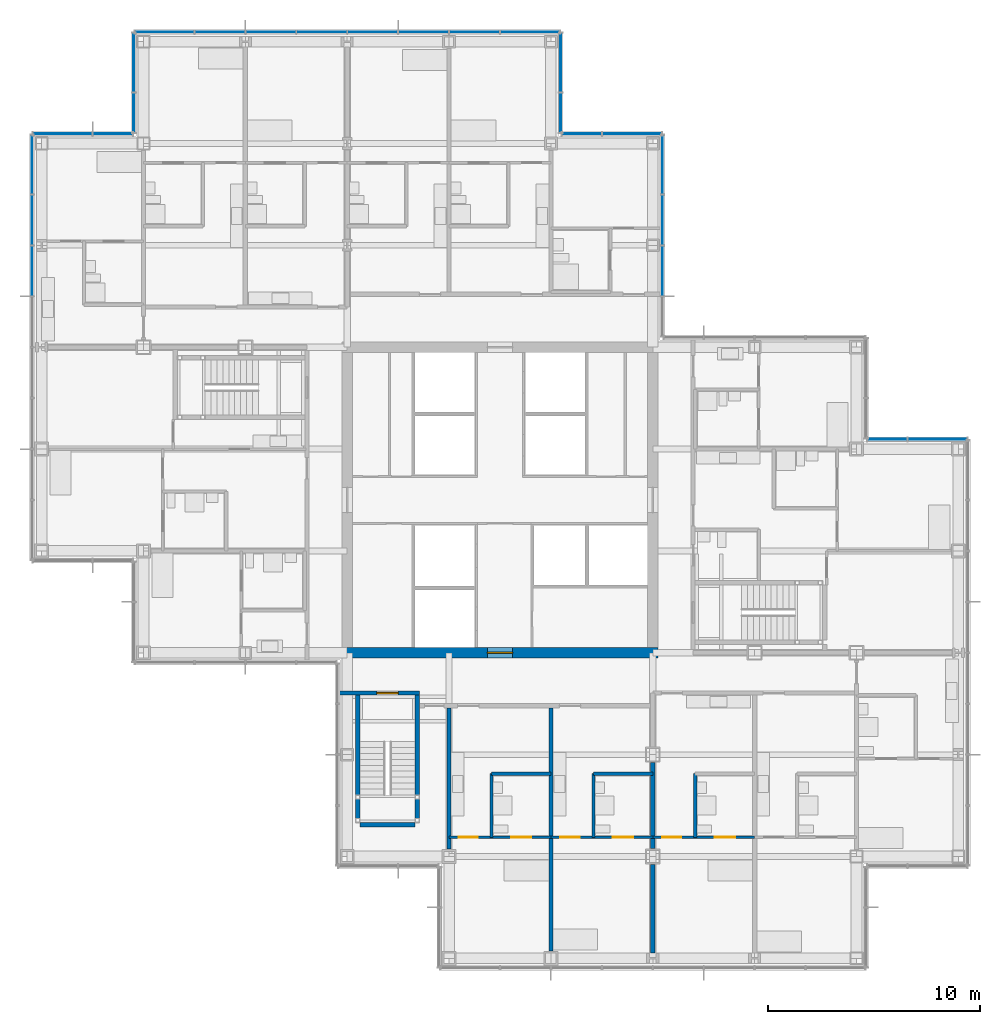
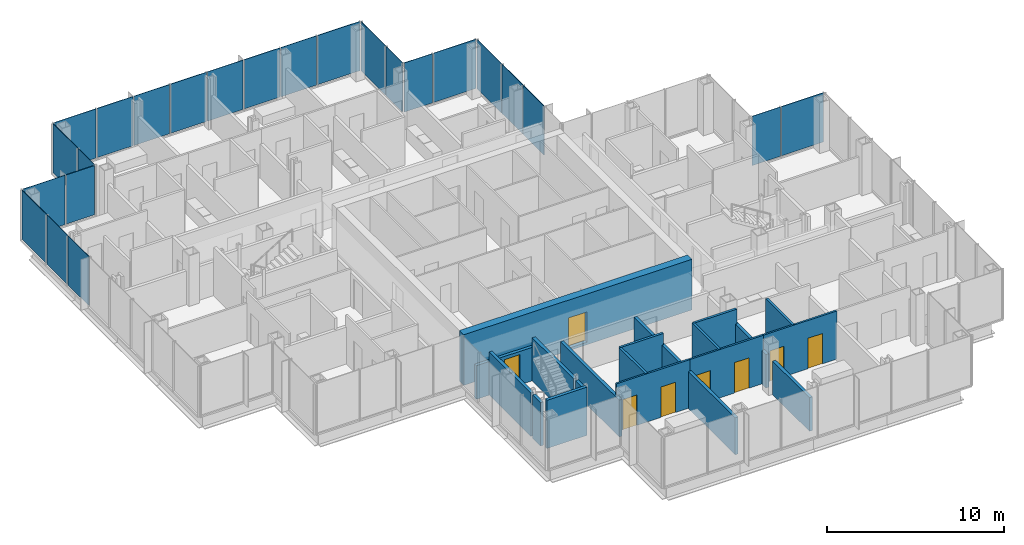
# One storey, part 12 of 19: 24 plates, 19 walls, 8 doors, 8 openings, 8 elements without a shape of their own.
"""IFC4 building model written with IfcOpenShell, lengths in metres."""

from ifc_helpers import new_model, si_unit, direction, frame, frame_2d, origin, origin_2d, place, context, subcontext, project, spatial, rectangle, extrude, material, layer, layer_set, type_object, element, fill, aggregate, save


model = new_model("IFC4")

# Units and contexts
model_context = context("Model", 3, precision=1e-05, world=origin(), true_north=direction((0.0, 1.0)))
body_context = subcontext(model_context, "Body", "Model", "MODEL_VIEW")
ifc_project = project(units=[si_unit("LENGTHUNIT", "METRE"), si_unit("AREAUNIT", "SQUARE_METRE"), si_unit("VOLUMEUNIT", "CUBIC_METRE"), si_unit("PLANEANGLEUNIT", "RADIAN"), si_unit("MASSUNIT", "GRAM", prefix="KILO")], contexts=[model_context])

# Site, building, storey
site_placement = place(None, origin())
site = spatial("IfcSite", under=ifc_project, at=site_placement, CompositionType="ELEMENT")
building_placement = place(site_placement, origin())
building = spatial("IfcBuilding", under=site, at=building_placement, Name="Kvirike Care Tower", CompositionType="ELEMENT")
storey_placement = place(building_placement, frame((0.0, 0.0, 87.5)))
storey = spatial("IfcBuildingStorey", under=building, at=storey_placement, Name="L23", CompositionType="ELEMENT", Elevation=87.5)

# Curtain wall, plates
ifc_material_1 = material(Name="Anodised aluminium stick system", Category="aluminium")
curtain_wall_type = type_object("IfcCurtainWallType", Name="CW-B STICK CURTAIN WALL", PredefinedType="NOTDEFINED", material=ifc_material_1)
curtain_wall_1_placement = place(storey_placement, origin())
curtain_wall_1 = element("IfcCurtainWall", 1, at=curtain_wall_1_placement, inside=storey, type_object=curtain_wall_type, Name="Curtain wall L23 face 2", PredefinedType="NOTDEFINED")
ifc_material_2 = material(Name="Tinted double glazed unit", Category="glass")
ifc_layer_1 = layer(ifc_material_2, 0.035888671875)
ifc_layer_set_1 = layer_set([ifc_layer_1], Name="TINTED VISION PANEL 36")
plate_type = type_object("IfcPlateType", Name="TINTED VISION PANEL 36", PredefinedType="CURTAIN_PANEL", material=ifc_layer_set_1)
plate_1_placement = place(storey_placement, frame((42.2138671875, 38.860107421875, 0.10009765625), z_axis=(0.0, 0.0, 1.0), x_axis=(-1.0, 0.0, 0.0)))
plate_1 = element("IfcPlate", 2, at=plate_1_placement, type_object=plate_type, Name="CW-B panel L23 face 2.1", PredefinedType="CURTAIN_PANEL", context=body_context, shape_type="SweptSolid", body=[
    extrude(rectangle(XDim=2.762451171875, YDim=0.035888671875, at=origin_2d()), origin(), (0.0, 0.0, 1.0), 3.39990234375),
])
plate_2_placement = place(storey_placement, frame((39.84619140625, 38.860107421875, 0.10009765625), z_axis=(0.0, 0.0, 1.0), x_axis=(-1.0, 0.0, 0.0)))
plate_2 = element("IfcPlate", 3, at=plate_2_placement, type_object=plate_type, Name="CW-B panel L23 face 2.2", PredefinedType="CURTAIN_PANEL", context=body_context, shape_type="SweptSolid", body=[
    extrude(rectangle(XDim=1.842529296875, YDim=0.035888671875, at=origin_2d()), origin(), (0.0, 0.0, 1.0), 3.39990234375),
])
aggregate(curtain_wall_1, [plate_1, plate_2])

curtain_wall_2_placement = place(storey_placement, origin())
curtain_wall_2 = element("IfcCurtainWall", 4, at=curtain_wall_2_placement, inside=storey, type_object=curtain_wall_type, Name="Curtain wall L23 face 5", PredefinedType="NOTDEFINED")
plate_3_placement = place(storey_placement, frame((29.260009765625, 46.800048828125, 0.10009765625), z_axis=(0.0, 0.0, 1.0), x_axis=(0.0, 1.0, 0.0)))
plate_3 = element("IfcPlate", 5, at=plate_3_placement, type_object=plate_type, Name="CW-B panel L23 face 5.2", PredefinedType="CURTAIN_PANEL", context=body_context, shape_type="SweptSolid", body=[
    extrude(rectangle(XDim=2.3349609375, YDim=0.035888671875, at=origin_2d()), origin(), (0.0, 0.0, 1.0), 3.39990234375),
])
plate_4_placement = place(storey_placement, frame((29.260009765625, 49.199951171875, 0.10009765625), z_axis=(0.0, 0.0, 1.0), x_axis=(0.0, 1.0, 0.0)))
plate_4 = element("IfcPlate", 6, at=plate_4_placement, type_object=plate_type, Name="CW-B panel L23 face 5.3", PredefinedType="CURTAIN_PANEL", context=body_context, shape_type="SweptSolid", body=[
    extrude(rectangle(XDim=2.3349609375, YDim=0.035888671875, at=origin_2d()), origin(), (0.0, 0.0, 1.0), 3.39990234375),
])
plate_5_placement = place(storey_placement, frame((29.260009765625, 51.813720703125, 0.10009765625), z_axis=(0.0, 0.0, 1.0), x_axis=(0.0, 1.0, 0.0)))
plate_5 = element("IfcPlate", 7, at=plate_5_placement, type_object=plate_type, Name="CW-B panel L23 face 5.4", PredefinedType="CURTAIN_PANEL", context=body_context, shape_type="SweptSolid", body=[
    extrude(rectangle(XDim=2.762451171875, YDim=0.035888671875, at=origin_2d()), origin(), (0.0, 0.0, 1.0), 3.39990234375),
])
aggregate(curtain_wall_2, [plate_3, plate_4, plate_5])

curtain_wall_3_placement = place(storey_placement, origin())
curtain_wall_3 = element("IfcCurtainWall", 8, at=curtain_wall_3_placement, inside=storey, type_object=curtain_wall_type, Name="Curtain wall L23 face 6", PredefinedType="NOTDEFINED")
plate_6_placement = place(storey_placement, frame((27.813720703125, 53.260009765625, 0.10009765625), z_axis=(0.0, 0.0, 1.0), x_axis=(-1.0, 0.0, 0.0)))
plate_6 = element("IfcPlate", 9, at=plate_6_placement, type_object=plate_type, Name="CW-B panel L23 face 6.1", PredefinedType="CURTAIN_PANEL", context=body_context, shape_type="SweptSolid", body=[
    extrude(rectangle(XDim=2.762451171875, YDim=0.035888671875, at=origin_2d()), origin(), (0.0, 0.0, 1.0), 3.39990234375),
])
plate_7_placement = place(storey_placement, frame((25.4462890625, 53.260009765625, 0.10009765625), z_axis=(0.0, 0.0, 1.0), x_axis=(-1.0, 0.0, 0.0)))
plate_7 = element("IfcPlate", 10, at=plate_7_placement, type_object=plate_type, Name="CW-B panel L23 face 6.2", PredefinedType="CURTAIN_PANEL", context=body_context, shape_type="SweptSolid", body=[
    extrude(rectangle(XDim=1.842529296875, YDim=0.035888671875, at=origin_2d()), origin(), (0.0, 0.0, 1.0), 3.39990234375),
])
aggregate(curtain_wall_3, [plate_6, plate_7])

curtain_wall_4_placement = place(storey_placement, origin())
curtain_wall_4 = element("IfcCurtainWall", 11, at=curtain_wall_4_placement, inside=storey, type_object=curtain_wall_type, Name="Curtain wall L23 face 7", PredefinedType="NOTDEFINED")
plate_8_placement = place(storey_placement, frame((24.4599609375, 54.246337890625, 0.10009765625), z_axis=(0.0, 0.0, 1.0), x_axis=(0.0, 1.0, 0.0)))
plate_8 = element("IfcPlate", 12, at=plate_8_placement, type_object=plate_type, Name="CW-B panel L23 face 7.1", PredefinedType="CURTAIN_PANEL", context=body_context, shape_type="SweptSolid", body=[
    extrude(rectangle(XDim=1.842529296875, YDim=0.035888671875, at=origin_2d()), origin(), (0.0, 0.0, 1.0), 3.39990234375),
])
plate_9_placement = place(storey_placement, frame((24.4599609375, 56.61376953125, 0.10009765625), z_axis=(0.0, 0.0, 1.0), x_axis=(0.0, 1.0, 0.0)))
plate_9 = element("IfcPlate", 13, at=plate_9_placement, type_object=plate_type, Name="CW-B panel L23 face 7.2", PredefinedType="CURTAIN_PANEL", context=body_context, shape_type="SweptSolid", body=[
    extrude(rectangle(XDim=2.762451171875, YDim=0.035888671875, at=origin_2d()), origin(), (0.0, 0.0, 1.0), 3.39990234375),
])
aggregate(curtain_wall_4, [plate_8, plate_9])

curtain_wall_5_placement = place(storey_placement, origin())
curtain_wall_5 = element("IfcCurtainWall", 14, at=curtain_wall_5_placement, inside=storey, type_object=curtain_wall_type, Name="Curtain wall L23 face 8", PredefinedType="NOTDEFINED")
plate_10_placement = place(storey_placement, frame((23.013671875, 58.06005859375, 0.10009765625), z_axis=(0.0, 0.0, 1.0), x_axis=(-1.0, 0.0, 0.0)))
plate_10 = element("IfcPlate", 15, at=plate_10_placement, type_object=plate_type, Name="CW-B panel L23 face 8.1", PredefinedType="CURTAIN_PANEL", context=body_context, shape_type="SweptSolid", body=[
    extrude(rectangle(XDim=2.762451171875, YDim=0.035888671875, at=origin_2d()), origin(), (0.0, 0.0, 1.0), 3.39990234375),
])
plate_11_placement = place(storey_placement, frame((20.39990234375, 58.06005859375, 0.10009765625), z_axis=(0.0, 0.0, 1.0), x_axis=(-1.0, 0.0, 0.0)))
plate_11 = element("IfcPlate", 16, at=plate_11_placement, type_object=plate_type, Name="CW-B panel L23 face 8.2", PredefinedType="CURTAIN_PANEL", context=body_context, shape_type="SweptSolid", body=[
    extrude(rectangle(XDim=2.3349609375, YDim=0.035888671875, at=origin_2d()), origin(), (0.0, 0.0, 1.0), 3.39990234375),
])
plate_12_placement = place(storey_placement, frame((18.0, 58.06005859375, 0.10009765625), z_axis=(0.0, 0.0, 1.0), x_axis=(-1.0, 0.0, 0.0)))
plate_12 = element("IfcPlate", 17, at=plate_12_placement, type_object=plate_type, Name="CW-B panel L23 face 8.3", PredefinedType="CURTAIN_PANEL", context=body_context, shape_type="SweptSolid", body=[
    extrude(rectangle(XDim=2.3349609375, YDim=0.035888671875, at=origin_2d()), origin(), (0.0, 0.0, 1.0), 3.39990234375),
])
plate_13_placement = place(storey_placement, frame((15.60009765625, 58.06005859375, 0.10009765625), z_axis=(0.0, 0.0, 1.0), x_axis=(-1.0, 0.0, 0.0)))
plate_13 = element("IfcPlate", 18, at=plate_13_placement, type_object=plate_type, Name="CW-B panel L23 face 8.4", PredefinedType="CURTAIN_PANEL", context=body_context, shape_type="SweptSolid", body=[
    extrude(rectangle(XDim=2.3349609375, YDim=0.035888671875, at=origin_2d()), origin(), (0.0, 0.0, 1.0), 3.39990234375),
])
plate_14_placement = place(storey_placement, frame((13.199951171875, 58.06005859375, 0.10009765625), z_axis=(0.0, 0.0, 1.0), x_axis=(-1.0, 0.0, 0.0)))
plate_14 = element("IfcPlate", 19, at=plate_14_placement, type_object=plate_type, Name="CW-B panel L23 face 8.5", PredefinedType="CURTAIN_PANEL", context=body_context, shape_type="SweptSolid", body=[
    extrude(rectangle(XDim=2.3349609375, YDim=0.035888671875, at=origin_2d()), origin(), (0.0, 0.0, 1.0), 3.39990234375),
])
plate_15_placement = place(storey_placement, frame((10.800048828125, 58.06005859375, 0.10009765625), z_axis=(0.0, 0.0, 1.0), x_axis=(-1.0, 0.0, 0.0)))
plate_15 = element("IfcPlate", 20, at=plate_15_placement, type_object=plate_type, Name="CW-B panel L23 face 8.6", PredefinedType="CURTAIN_PANEL", context=body_context, shape_type="SweptSolid", body=[
    extrude(rectangle(XDim=2.3349609375, YDim=0.035888671875, at=origin_2d()), origin(), (0.0, 0.0, 1.0), 3.39990234375),
])
plate_16_placement = place(storey_placement, frame((8.39990234375, 58.06005859375, 0.10009765625), z_axis=(0.0, 0.0, 1.0), x_axis=(-1.0, 0.0, 0.0)))
plate_16 = element("IfcPlate", 21, at=plate_16_placement, type_object=plate_type, Name="CW-B panel L23 face 8.7", PredefinedType="CURTAIN_PANEL", context=body_context, shape_type="SweptSolid", body=[
    extrude(rectangle(XDim=2.3349609375, YDim=0.035888671875, at=origin_2d()), origin(), (0.0, 0.0, 1.0), 3.39990234375),
])
plate_17_placement = place(storey_placement, frame((5.7861328125, 58.06005859375, 0.10009765625), z_axis=(0.0, 0.0, 1.0), x_axis=(-1.0, 0.0, 0.0)))
plate_17 = element("IfcPlate", 22, at=plate_17_placement, type_object=plate_type, Name="CW-B panel L23 face 8.8", PredefinedType="CURTAIN_PANEL", context=body_context, shape_type="SweptSolid", body=[
    extrude(rectangle(XDim=2.762451171875, YDim=0.035888671875, at=origin_2d()), origin(), (0.0, 0.0, 1.0), 3.39990234375),
])
aggregate(curtain_wall_5, [plate_10, plate_11, plate_12, plate_13, plate_14, plate_15, plate_16, plate_17])

curtain_wall_6_placement = place(storey_placement, origin())
curtain_wall_6 = element("IfcCurtainWall", 23, at=curtain_wall_6_placement, inside=storey, type_object=curtain_wall_type, Name="Curtain wall L23 face 9", PredefinedType="NOTDEFINED")
plate_18_placement = place(storey_placement, frame((4.340087890625, 56.61376953125, 0.10009765625), z_axis=(0.0, 0.0, 1.0), x_axis=(0.0, -1.0, 0.0)))
plate_18 = element("IfcPlate", 24, at=plate_18_placement, type_object=plate_type, Name="CW-B panel L23 face 9.1", PredefinedType="CURTAIN_PANEL", context=body_context, shape_type="SweptSolid", body=[
    extrude(rectangle(XDim=2.762451171875, YDim=0.035888671875, at=origin_2d()), origin(), (0.0, 0.0, 1.0), 3.39990234375),
])
plate_19_placement = place(storey_placement, frame((4.340087890625, 54.246337890625, 0.10009765625), z_axis=(0.0, 0.0, 1.0), x_axis=(0.0, -1.0, 0.0)))
plate_19 = element("IfcPlate", 25, at=plate_19_placement, type_object=plate_type, Name="CW-B panel L23 face 9.2", PredefinedType="CURTAIN_PANEL", context=body_context, shape_type="SweptSolid", body=[
    extrude(rectangle(XDim=1.842529296875, YDim=0.035888671875, at=origin_2d()), origin(), (0.0, 0.0, 1.0), 3.39990234375),
])
aggregate(curtain_wall_6, [plate_18, plate_19])

curtain_wall_7_placement = place(storey_placement, origin())
curtain_wall_7 = element("IfcCurtainWall", 26, at=curtain_wall_7_placement, inside=storey, type_object=curtain_wall_type, Name="Curtain wall L23 face 10", PredefinedType="NOTDEFINED")
plate_20_placement = place(storey_placement, frame((3.353759765625, 53.260009765625, 0.10009765625), z_axis=(0.0, 0.0, 1.0), x_axis=(-1.0, 0.0, 0.0)))
plate_20 = element("IfcPlate", 27, at=plate_20_placement, type_object=plate_type, Name="CW-B panel L23 face 10.1", PredefinedType="CURTAIN_PANEL", context=body_context, shape_type="SweptSolid", body=[
    extrude(rectangle(XDim=1.842529296875, YDim=0.035888671875, at=origin_2d()), origin(), (0.0, 0.0, 1.0), 3.39990234375),
])
plate_21_placement = place(storey_placement, frame((0.986328125, 53.260009765625, 0.10009765625), z_axis=(0.0, 0.0, 1.0), x_axis=(-1.0, 0.0, 0.0)))
plate_21 = element("IfcPlate", 28, at=plate_21_placement, type_object=plate_type, Name="CW-B panel L23 face 10.2", PredefinedType="CURTAIN_PANEL", context=body_context, shape_type="SweptSolid", body=[
    extrude(rectangle(XDim=2.762451171875, YDim=0.035888671875, at=origin_2d()), origin(), (0.0, 0.0, 1.0), 3.39990234375),
])
aggregate(curtain_wall_7, [plate_20, plate_21])

curtain_wall_8_placement = place(storey_placement, origin())
curtain_wall_8 = element("IfcCurtainWall", 29, at=curtain_wall_8_placement, inside=storey, type_object=curtain_wall_type, Name="Curtain wall L23 face 11", PredefinedType="NOTDEFINED")
plate_22_placement = place(storey_placement, frame((-0.4599609375, 51.813720703125, 0.10009765625), z_axis=(0.0, 0.0, 1.0), x_axis=(0.0, -1.0, 0.0)))
plate_22 = element("IfcPlate", 30, at=plate_22_placement, type_object=plate_type, Name="CW-B panel L23 face 11.1", PredefinedType="CURTAIN_PANEL", context=body_context, shape_type="SweptSolid", body=[
    extrude(rectangle(XDim=2.762451171875, YDim=0.035888671875, at=origin_2d()), origin(), (0.0, 0.0, 1.0), 3.39990234375),
])
plate_23_placement = place(storey_placement, frame((-0.4599609375, 49.199951171875, 0.10009765625), z_axis=(0.0, 0.0, 1.0), x_axis=(0.0, -1.0, 0.0)))
plate_23 = element("IfcPlate", 31, at=plate_23_placement, type_object=plate_type, Name="CW-B panel L23 face 11.2", PredefinedType="CURTAIN_PANEL", context=body_context, shape_type="SweptSolid", body=[
    extrude(rectangle(XDim=2.3349609375, YDim=0.035888671875, at=origin_2d()), origin(), (0.0, 0.0, 1.0), 3.39990234375),
])
plate_24_placement = place(storey_placement, frame((-0.4599609375, 46.800048828125, 0.10009765625), z_axis=(0.0, 0.0, 1.0), x_axis=(0.0, -1.0, 0.0)))
plate_24 = element("IfcPlate", 32, at=plate_24_placement, type_object=plate_type, Name="CW-B panel L23 face 11.3", PredefinedType="CURTAIN_PANEL", context=body_context, shape_type="SweptSolid", body=[
    extrude(rectangle(XDim=2.3349609375, YDim=0.035888671875, at=origin_2d()), origin(), (0.0, 0.0, 1.0), 3.39990234375),
])
aggregate(curtain_wall_8, [plate_22, plate_23, plate_24])

# Walls
ifc_material_3 = material(Name="Moisture-resistant board partition", Category="gypsum")
ifc_layer_2 = layer(ifc_material_3, 0.14990234375)
ifc_layer_set_2 = layer_set([ifc_layer_2], Name="BATHROOM WALL 150")
wall_type_1 = type_object("IfcWallType", Name="BATHROOM WALL 150", PredefinedType="PARTITIONING", material=ifc_layer_set_2)
wall_1_placement = place(storey_placement, frame((21.199951171875, 20.10009765625, 0.0), z_axis=(0.0, 0.0, 1.0), x_axis=(0.0, 1.0, 0.0)))
element("IfcWall", 33, at=wall_1_placement, inside=storey, type_object=wall_type_1, Name="Bathroom Wall 150 L23", PredefinedType="PARTITIONING", context=body_context, shape_type="SweptSolid", body=[
    extrude(rectangle(XDim=3.0, YDim=0.14990234375, at=frame_2d((1.5, 0.0))), origin(), (0.0, 0.0, 1.0), 3.330078125),
])
wall_2_placement = place(storey_placement, frame((21.199951171875, 23.10009765625, 0.0), z_axis=(0.0, 0.0, 1.0), x_axis=(1.0, 0.0, 0.0)))
element("IfcWall", 34, at=wall_2_placement, inside=storey, type_object=wall_type_1, Name="Bathroom Wall 150 L23", PredefinedType="PARTITIONING", context=body_context, shape_type="SweptSolid", body=[
    extrude(rectangle(XDim=2.800048828125, YDim=0.14990234375, at=frame_2d((1.39990234375, 0.0))), origin(), (0.0, 0.0, 1.0), 3.330078125),
])
wall_3_placement = place(storey_placement, frame((26.0, 20.10009765625, 0.0), z_axis=(0.0, 0.0, 1.0), x_axis=(0.0, 1.0, 0.0)))
element("IfcWall", 35, at=wall_3_placement, inside=storey, type_object=wall_type_1, Name="Bathroom Wall 150 L23", PredefinedType="PARTITIONING", context=body_context, shape_type="SweptSolid", body=[
    extrude(rectangle(XDim=3.0, YDim=0.14990234375, at=frame_2d((1.5, 0.0))), origin(), (0.0, 0.0, 1.0), 3.330078125),
])
wall_4_placement = place(storey_placement, frame((26.0, 23.10009765625, 0.0), z_axis=(0.0, 0.0, 1.0), x_axis=(1.0, 0.0, 0.0)))
element("IfcWall", 36, at=wall_4_placement, inside=storey, type_object=wall_type_1, Name="Bathroom Wall 150 L23", PredefinedType="PARTITIONING", context=body_context, shape_type="SweptSolid", body=[
    extrude(rectangle(XDim=2.800048828125, YDim=0.14990234375, at=frame_2d((1.39990234375, 0.0))), origin(), (0.0, 0.0, 1.0), 3.330078125),
])
wall_5_placement = place(storey_placement, frame((30.800048828125, 20.10009765625, 0.0), z_axis=(0.0, 0.0, 1.0), x_axis=(0.0, 1.0, 0.0)))
element("IfcWall", 37, at=wall_5_placement, inside=storey, type_object=wall_type_1, Name="Bathroom Wall 150 L23", PredefinedType="PARTITIONING", context=body_context, shape_type="SweptSolid", body=[
    extrude(rectangle(XDim=3.0, YDim=0.14990234375, at=frame_2d((1.5, 0.0))), origin(), (0.0, 0.0, 1.0), 3.330078125),
])

# Wall, opening, door
ifc_material_4 = material(Name="Concrete C50/60", Category="concrete")
ifc_layer_3 = layer(ifc_material_4, 0.5)
ifc_layer_set_3 = layer_set([ifc_layer_3], Name="CORE WALL 500 C50-60")
wall_type_2 = type_object("IfcWallType", Name="CORE WALL 500 C50-60", PredefinedType="SHEAR", material=ifc_layer_set_3)
wall_6_placement = place(storey_placement, frame((14.14990234375, 28.800048828125, -0.169921875), z_axis=(0.0, 0.0, 1.0), x_axis=(1.0, 0.0, 0.0)))
wall_6 = element("IfcWall", 38, at=wall_6_placement, inside=storey, type_object=wall_type_2, Name="Core wall S L23", PredefinedType="SHEAR", context=body_context, shape_type="SweptSolid", body=[
    extrude(rectangle(XDim=14.900146484375, YDim=0.5, at=frame_2d((7.4501953125, 0.0))), origin(), (0.0, 0.0, 1.0), 3.5),
])
opening_1_placement = place(wall_6_placement, frame((6.85009765625, 0.0, 0.169921875)))
opening_1 = element("IfcOpeningElement", 39, at=opening_1_placement, cuts=wall_6, Name="Opening 23-065", PredefinedType="OPENING", context=body_context, shape_type="SweptSolid", body=[
    extrude(rectangle(XDim=1.199951171875, YDim=2.10009765625, at=frame_2d((0.60009765625, 1.050048828125))), frame((0.0, 0.260498046875, 0.0), z_axis=(0.0, -1.0, 0.0), x_axis=(1.0, 0.0, 0.0)), (0.0, 0.0, 1.0), 0.52099609375),
])
ifc_material_5 = material(Name="Timber door set", Category="wood")
door_type_1 = type_object("IfcDoorType", Name="CORE DOOR 1200", OperationType="SINGLE_SWING_LEFT", PredefinedType="DOOR", material=ifc_material_5)
door_1_placement = place(opening_1_placement, origin())
door_1 = element("IfcDoor", 40, at=door_1_placement, inside=storey, type_object=door_type_1, Name="Core door S L23", OperationType="SINGLE_SWING_LEFT", OverallHeight=2.10009765625, OverallWidth=1.199951171875, PredefinedType="DOOR", context=body_context, shape_type="SweptSolid", body=[
    extrude(rectangle(XDim=1.199951171875, YDim=2.10009765625, at=frame_2d((0.60009765625, 1.050048828125))), frame((0.0, 0.02685546875, 0.0), z_axis=(0.0, -1.0, 0.0), x_axis=(1.0, 0.0, 0.0)), (0.0, 0.0, 1.0), 0.053955078125),
])
fill(opening_1, door_1)

# Wall, openings, doors
ifc_material_6 = material(Name="Plasterboard partition", Category="gypsum")
ifc_layer_4 = layer(ifc_material_6, 0.1201171875)
ifc_layer_set_4 = layer_set([ifc_layer_4], Name="PARTITION 120")
wall_type_3 = type_object("IfcWallType", Name="PARTITION 120", PredefinedType="PARTITIONING", material=ifc_layer_set_4)
wall_7_placement = place(storey_placement, frame((19.199951171875, 20.10009765625, 0.0), z_axis=(0.0, 0.0, 1.0), x_axis=(1.0, 0.0, 0.0)))
wall_7 = element("IfcWall", 41, at=wall_7_placement, inside=storey, type_object=wall_type_3, Name="Partition 120 L23", PredefinedType="PARTITIONING", context=body_context, shape_type="SweptSolid", body=[
    extrude(rectangle(XDim=4.800048828125, YDim=0.1201171875, at=frame_2d((2.39990234375, 0.0))), origin(), (0.0, 0.0, 1.0), 3.330078125),
])
opening_2_placement = place(wall_7_placement, frame((0.449951171875, 0.0, 0.0)))
opening_2 = element("IfcOpeningElement", 42, at=opening_2_placement, cuts=wall_7, Name="Opening 23-020", PredefinedType="OPENING", context=body_context, shape_type="SweptSolid", body=[
    extrude(rectangle(XDim=0.89990234375, YDim=2.10009765625, at=frame_2d((0.449951171875, 1.050048828125))), frame((0.0, 0.070556640625, 0.0), z_axis=(0.0, -1.0, 0.0), x_axis=(1.0, 0.0, 0.0)), (0.0, 0.0, 1.0), 0.14111328125),
])
opening_3_placement = place(wall_7_placement, frame((2.925048828125, 0.0, 0.0)))
opening_3 = element("IfcOpeningElement", 43, at=opening_3_placement, cuts=wall_7, Name="Opening 23-021", PredefinedType="OPENING", context=body_context, shape_type="SweptSolid", body=[
    extrude(rectangle(XDim=0.949951171875, YDim=2.10009765625, at=frame_2d((0.47509765625, 1.050048828125))), frame((0.0, 0.070556640625, 0.0), z_axis=(0.0, -1.0, 0.0), x_axis=(1.0, 0.0, 0.0)), (0.0, 0.0, 1.0), 0.14111328125),
])
ifc_material_7 = material(Name="Timber door set", Category="wood")
door_type_2 = type_object("IfcDoorType", Name="EN-SUITE SLIDING DOOR 950", OperationType="SLIDING_TO_LEFT", PredefinedType="DOOR", material=ifc_material_7)
door_2_placement = place(opening_3_placement, origin())
door_2 = element("IfcDoor", 44, at=door_2_placement, inside=storey, type_object=door_type_2, Name="En-suite door", OperationType="SLIDING_TO_LEFT", OverallHeight=2.10009765625, OverallWidth=0.949951171875, PredefinedType="DOOR", context=body_context, shape_type="SweptSolid", body=[
    extrude(rectangle(XDim=0.949951171875, YDim=2.10009765625, at=frame_2d((0.47509765625, 1.050048828125))), frame((0.0, 0.02197265625, 0.0), z_axis=(0.0, -1.0, 0.0), x_axis=(1.0, 0.0, 0.0)), (0.0, 0.0, 1.0), 0.0439453125),
])
fill(opening_3, door_2)
ifc_material_8 = material(Name="Timber door set", Category="wood")
door_type_3 = type_object("IfcDoorType", Name="INTERNAL DOOR 900", OperationType="SINGLE_SWING_LEFT", PredefinedType="DOOR", material=ifc_material_8)
door_3_placement = place(opening_2_placement, origin())
door_3 = element("IfcDoor", 45, at=door_3_placement, inside=storey, type_object=door_type_3, Name="Assisted living suite door", OperationType="SINGLE_SWING_RIGHT", OverallHeight=2.10009765625, OverallWidth=0.89990234375, PredefinedType="DOOR", context=body_context, shape_type="SweptSolid", body=[
    extrude(rectangle(XDim=0.89990234375, YDim=2.10009765625, at=frame_2d((0.449951171875, 1.050048828125))), frame((0.0, 0.02197265625, 0.0), z_axis=(0.0, -1.0, 0.0), x_axis=(1.0, 0.0, 0.0)), (0.0, 0.0, 1.0), 0.0439453125),
])
fill(opening_2, door_3)

wall_8_placement = place(storey_placement, frame((24.0, 20.10009765625, 0.0), z_axis=(0.0, 0.0, 1.0), x_axis=(1.0, 0.0, 0.0)))
wall_8 = element("IfcWall", 46, at=wall_8_placement, inside=storey, type_object=wall_type_3, Name="Partition 120 L23", PredefinedType="PARTITIONING", context=body_context, shape_type="SweptSolid", body=[
    extrude(rectangle(XDim=4.800048828125, YDim=0.1201171875, at=frame_2d((2.39990234375, 0.0))), origin(), (0.0, 0.0, 1.0), 3.330078125),
])
opening_4_placement = place(wall_8_placement, frame((0.449951171875, 0.0, 0.0)))
opening_4 = element("IfcOpeningElement", 47, at=opening_4_placement, cuts=wall_8, Name="Opening 23-022", PredefinedType="OPENING", context=body_context, shape_type="SweptSolid", body=[
    extrude(rectangle(XDim=0.89990234375, YDim=2.10009765625, at=frame_2d((0.449951171875, 1.050048828125))), frame((0.0, 0.070556640625, 0.0), z_axis=(0.0, -1.0, 0.0), x_axis=(1.0, 0.0, 0.0)), (0.0, 0.0, 1.0), 0.14111328125),
])
opening_5_placement = place(wall_8_placement, frame((2.925048828125, 0.0, 0.0)))
opening_5 = element("IfcOpeningElement", 48, at=opening_5_placement, cuts=wall_8, Name="Opening 23-023", PredefinedType="OPENING", context=body_context, shape_type="SweptSolid", body=[
    extrude(rectangle(XDim=0.949951171875, YDim=2.10009765625, at=frame_2d((0.47509765625, 1.050048828125))), frame((0.0, 0.070556640625, 0.0), z_axis=(0.0, -1.0, 0.0), x_axis=(1.0, 0.0, 0.0)), (0.0, 0.0, 1.0), 0.14111328125),
])
door_4_placement = place(opening_5_placement, origin())
door_4 = element("IfcDoor", 49, at=door_4_placement, inside=storey, type_object=door_type_2, Name="En-suite door", OperationType="SLIDING_TO_LEFT", OverallHeight=2.10009765625, OverallWidth=0.949951171875, PredefinedType="DOOR", context=body_context, shape_type="SweptSolid", body=[
    extrude(rectangle(XDim=0.949951171875, YDim=2.10009765625, at=frame_2d((0.47509765625, 1.050048828125))), frame((0.0, 0.02197265625, 0.0), z_axis=(0.0, -1.0, 0.0), x_axis=(1.0, 0.0, 0.0)), (0.0, 0.0, 1.0), 0.0439453125),
])
fill(opening_5, door_4)
door_5_placement = place(opening_4_placement, origin())
door_5 = element("IfcDoor", 50, at=door_5_placement, inside=storey, type_object=door_type_3, Name="Assisted living suite door", OperationType="SINGLE_SWING_RIGHT", OverallHeight=2.10009765625, OverallWidth=0.89990234375, PredefinedType="DOOR", context=body_context, shape_type="SweptSolid", body=[
    extrude(rectangle(XDim=0.89990234375, YDim=2.10009765625, at=frame_2d((0.449951171875, 1.050048828125))), frame((0.0, 0.02197265625, 0.0), z_axis=(0.0, -1.0, 0.0), x_axis=(1.0, 0.0, 0.0)), (0.0, 0.0, 1.0), 0.0439453125),
])
fill(opening_4, door_5)

wall_9_placement = place(storey_placement, frame((28.800048828125, 20.10009765625, 0.0), z_axis=(0.0, 0.0, 1.0), x_axis=(1.0, 0.0, 0.0)))
wall_9 = element("IfcWall", 51, at=wall_9_placement, inside=storey, type_object=wall_type_3, Name="Partition 120 L23", PredefinedType="PARTITIONING", context=body_context, shape_type="SweptSolid", body=[
    extrude(rectangle(XDim=4.800048828125, YDim=0.1201171875, at=frame_2d((2.39990234375, 0.0))), origin(), (0.0, 0.0, 1.0), 3.330078125),
])
opening_6_placement = place(wall_9_placement, frame((0.449951171875, 0.0, 0.0)))
opening_6 = element("IfcOpeningElement", 52, at=opening_6_placement, cuts=wall_9, Name="Opening 23-036", PredefinedType="OPENING", context=body_context, shape_type="SweptSolid", body=[
    extrude(rectangle(XDim=0.89990234375, YDim=2.10009765625, at=frame_2d((0.449951171875, 1.050048828125))), frame((0.0, 0.070556640625, 0.0), z_axis=(0.0, -1.0, 0.0), x_axis=(1.0, 0.0, 0.0)), (0.0, 0.0, 1.0), 0.14111328125),
])
opening_7_placement = place(wall_9_placement, frame((2.925048828125, 0.0, 0.0)))
opening_7 = element("IfcOpeningElement", 53, at=opening_7_placement, cuts=wall_9, Name="Opening 23-037", PredefinedType="OPENING", context=body_context, shape_type="SweptSolid", body=[
    extrude(rectangle(XDim=0.949951171875, YDim=2.10009765625, at=frame_2d((0.47509765625, 1.050048828125))), frame((0.0, 0.070556640625, 0.0), z_axis=(0.0, -1.0, 0.0), x_axis=(1.0, 0.0, 0.0)), (0.0, 0.0, 1.0), 0.14111328125),
])
door_6_placement = place(opening_7_placement, origin())
door_6 = element("IfcDoor", 54, at=door_6_placement, inside=storey, type_object=door_type_2, Name="En-suite door", OperationType="SLIDING_TO_RIGHT", OverallHeight=2.10009765625, OverallWidth=0.949951171875, PredefinedType="DOOR", context=body_context, shape_type="SweptSolid", body=[
    extrude(rectangle(XDim=0.949951171875, YDim=2.10009765625, at=frame_2d((0.47509765625, 1.050048828125))), frame((0.0, 0.02197265625, 0.0), z_axis=(0.0, -1.0, 0.0), x_axis=(1.0, 0.0, 0.0)), (0.0, 0.0, 1.0), 0.0439453125),
])
fill(opening_7, door_6)
door_7_placement = place(opening_6_placement, origin())
door_7 = element("IfcDoor", 55, at=door_7_placement, inside=storey, type_object=door_type_3, Name="Assisted living suite door", OperationType="SINGLE_SWING_RIGHT", OverallHeight=2.10009765625, OverallWidth=0.89990234375, PredefinedType="DOOR", context=body_context, shape_type="SweptSolid", body=[
    extrude(rectangle(XDim=0.89990234375, YDim=2.10009765625, at=frame_2d((0.449951171875, 1.050048828125))), frame((0.0, 0.02197265625, 0.0), z_axis=(0.0, -1.0, 0.0), x_axis=(1.0, 0.0, 0.0)), (0.0, 0.0, 1.0), 0.0439453125),
])
fill(opening_6, door_7)

# Walls
ifc_material_9 = material(Name="Plasterboard party wall", Category="gypsum")
ifc_layer_5 = layer(ifc_material_9, 0.199951171875)
ifc_layer_set_5 = layer_set([ifc_layer_5], Name="PARTY WALL 200")
wall_type_4 = type_object("IfcWallType", Name="PARTY WALL 200", PredefinedType="PARTITIONING", material=ifc_layer_set_5)
wall_10_placement = place(storey_placement, frame((19.199951171875, 19.544921875, 0.0), z_axis=(0.0, 0.0, 1.0), x_axis=(0.0, 1.0, 0.0)))
element("IfcWall", 56, at=wall_10_placement, inside=storey, type_object=wall_type_4, Name="Party Wall 200 L23", PredefinedType="PARTITIONING", context=body_context, shape_type="SweptSolid", body=[
    extrude(rectangle(XDim=6.655029296875, YDim=0.199951171875, at=frame_2d((3.32763671875, 0.0))), origin(), (0.0, 0.0, 1.0), 2.550048828125),
])
wall_11_placement = place(storey_placement, frame((24.0, 14.7451171875, 0.0), z_axis=(0.0, 0.0, 1.0), x_axis=(0.0, 1.0, 0.0)))
element("IfcWall", 57, at=wall_11_placement, inside=storey, type_object=wall_type_4, Name="Party Wall 200 L23", PredefinedType="PARTITIONING", context=body_context, shape_type="SweptSolid", body=[
    extrude(rectangle(XDim=11.454833984375, YDim=0.199951171875, at=frame_2d((5.7275390625, 0.0))), origin(), (0.0, 0.0, 1.0), 2.550048828125),
])
wall_12_placement = place(storey_placement, frame((28.800048828125, 14.64697265625, 0.0), z_axis=(0.0, 0.0, 1.0), x_axis=(0.0, 1.0, 0.0)))
element("IfcWall", 58, at=wall_12_placement, inside=storey, type_object=wall_type_4, Name="Party Wall 200 L23", PredefinedType="PARTITIONING", context=body_context, shape_type="SweptSolid", body=[
    extrude(rectangle(XDim=4.18310546875, YDim=0.199951171875, at=frame_2d((2.091552734375, 0.0))), origin(), (0.0, 0.0, 1.0), 2.320068359375),
])
wall_13_placement = place(storey_placement, frame((28.800048828125, 19.570068359375, 0.0), z_axis=(0.0, 0.0, 1.0), x_axis=(0.0, 1.0, 0.0)))
element("IfcWall", 59, at=wall_13_placement, inside=storey, type_object=wall_type_4, Name="Party Wall 200 L23", PredefinedType="PARTITIONING", context=body_context, shape_type="SweptSolid", body=[
    extrude(rectangle(XDim=4.059814453125, YDim=0.199951171875, at=frame_2d((2.02978515625, 0.0))), origin(), (0.0, 0.0, 1.0), 2.320068359375),
])
ifc_material_10 = material(Name="Concrete C40/50", Category="concrete")
ifc_layer_6 = layer(ifc_material_10, 0.199951171875)
ifc_layer_set_6 = layer_set([ifc_layer_6], Name="STAIR WALL 200")
wall_type_5 = type_object("IfcWallType", Name="STAIR WALL 200", PredefinedType="SOLIDWALL", material=ifc_layer_set_6)
wall_14_placement = place(storey_placement, frame((14.89990234375, 21.0, 0.0), z_axis=(0.0, 0.0, 1.0), x_axis=(0.0, 1.0, 0.0)))
element("IfcWall", 60, at=wall_14_placement, inside=storey, type_object=wall_type_5, Name="Stair Wall 200 L23", PredefinedType="SOLIDWALL", context=body_context, shape_type="SweptSolid", body=[
    extrude(rectangle(XDim=0.89990234375, YDim=0.199951171875, at=frame_2d((0.449951171875, 0.0))), origin(), (0.0, 0.0, 1.0), 2.989990234375),
])
wall_15_placement = place(storey_placement, frame((14.89990234375, 22.10009765625, 0.0), z_axis=(0.0, 0.0, 1.0), x_axis=(0.0, 1.0, 0.0)))
element("IfcWall", 61, at=wall_15_placement, inside=storey, type_object=wall_type_5, Name="Stair Wall 200 L23", PredefinedType="SOLIDWALL", context=body_context, shape_type="SweptSolid", body=[
    extrude(rectangle(XDim=4.699951171875, YDim=0.199951171875, at=frame_2d((2.35009765625, 0.0))), origin(), (0.0, 0.0, 1.0), 2.989990234375),
])
wall_16_placement = place(storey_placement, frame((17.699951171875, 21.0, 0.0), z_axis=(0.0, 0.0, 1.0), x_axis=(0.0, 1.0, 0.0)))
element("IfcWall", 62, at=wall_16_placement, inside=storey, type_object=wall_type_5, Name="Stair Wall 200 L23", PredefinedType="SOLIDWALL", context=body_context, shape_type="SweptSolid", body=[
    extrude(rectangle(XDim=0.89990234375, YDim=0.199951171875, at=frame_2d((0.449951171875, 0.0))), origin(), (0.0, 0.0, 1.0), 2.989990234375),
])
wall_17_placement = place(storey_placement, frame((17.699951171875, 22.10009765625, 0.0), z_axis=(0.0, 0.0, 1.0), x_axis=(0.0, 1.0, 0.0)))
element("IfcWall", 63, at=wall_17_placement, inside=storey, type_object=wall_type_5, Name="Stair Wall 200 L23", PredefinedType="SOLIDWALL", context=body_context, shape_type="SweptSolid", body=[
    extrude(rectangle(XDim=4.699951171875, YDim=0.199951171875, at=frame_2d((2.35009765625, 0.0))), origin(), (0.0, 0.0, 1.0), 2.989990234375),
])
wall_18_placement = place(storey_placement, frame((15.0, 20.699951171875, 0.0), z_axis=(0.0, 0.0, 1.0), x_axis=(1.0, 0.0, 0.0)))
element("IfcWall", 64, at=wall_18_placement, inside=storey, type_object=wall_type_5, Name="Stair Wall 200 L23", PredefinedType="SOLIDWALL", context=body_context, shape_type="SweptSolid", body=[
    extrude(rectangle(XDim=2.60009765625, YDim=0.199951171875, at=frame_2d((1.300048828125, 0.0))), origin(), (0.0, 0.0, 1.0), 3.330078125),
])

# Wall, opening, door
wall_19_placement = place(storey_placement, frame((13.9599609375, 26.89990234375, 0.0), z_axis=(0.0, 0.0, 1.0), x_axis=(1.0, 0.0, 0.0)))
wall_19 = element("IfcWall", 65, at=wall_19_placement, inside=storey, type_object=wall_type_5, Name="Stair Wall 200 L23", PredefinedType="SOLIDWALL", context=body_context, shape_type="SweptSolid", body=[
    extrude(rectangle(XDim=3.840087890625, YDim=0.199951171875, at=frame_2d((1.919921875, 0.0))), origin(), (0.0, 0.0, 1.0), 2.320068359375),
])
opening_8_placement = place(wall_19_placement, frame((1.840087890625, 0.0, 0.0)))
opening_8 = element("IfcOpeningElement", 66, at=opening_8_placement, cuts=wall_19, Name="Opening 23-019", PredefinedType="OPENING", context=body_context, shape_type="SweptSolid", body=[
    extrude(rectangle(XDim=1.0, YDim=2.10009765625, at=frame_2d((0.5, 1.050048828125))), frame((0.0, 0.110595703125, 0.0), z_axis=(0.0, -1.0, 0.0), x_axis=(1.0, 0.0, 0.0)), (0.0, 0.0, 1.0), 0.220947265625),
])
ifc_material_11 = material(Name="Timber door set", Category="wood")
door_type_4 = type_object("IfcDoorType", Name="STAIR DOOR 1000", OperationType="SINGLE_SWING_LEFT", PredefinedType="DOOR", material=ifc_material_11)
door_8_placement = place(opening_8_placement, frame((1.0, 0.0, 0.0), z_axis=(0.0, 0.0, 1.0), x_axis=(-1.0, 0.0, 0.0)))
door_8 = element("IfcDoor", 67, at=door_8_placement, inside=storey, type_object=door_type_4, Name="Stair 5 door", OperationType="SINGLE_SWING_LEFT", OverallHeight=2.10009765625, OverallWidth=1.0, PredefinedType="DOOR", context=body_context, shape_type="SweptSolid", body=[
    extrude(rectangle(XDim=1.0, YDim=2.10009765625, at=frame_2d((0.5, 1.050048828125))), frame((0.0, 0.031982421875, 0.0), z_axis=(0.0, -1.0, 0.0), x_axis=(1.0, 0.0, 0.0)), (0.0, 0.0, 1.0), 0.06396484375),
])
fill(opening_8, door_8)

save(model, "model.ifc")
